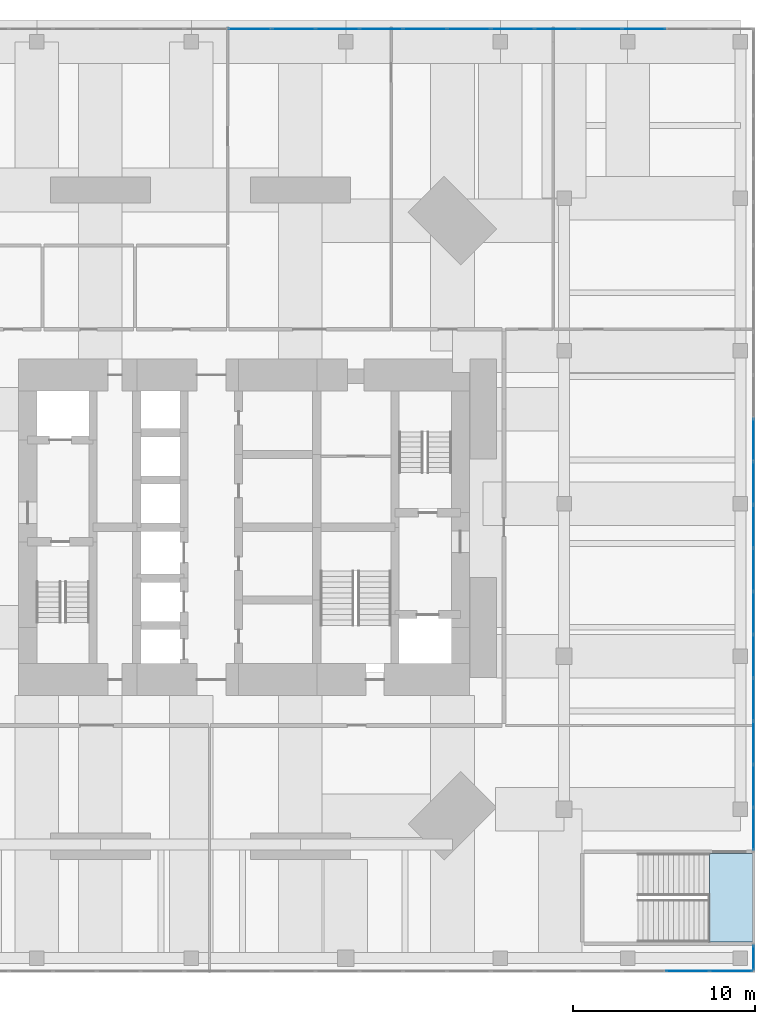
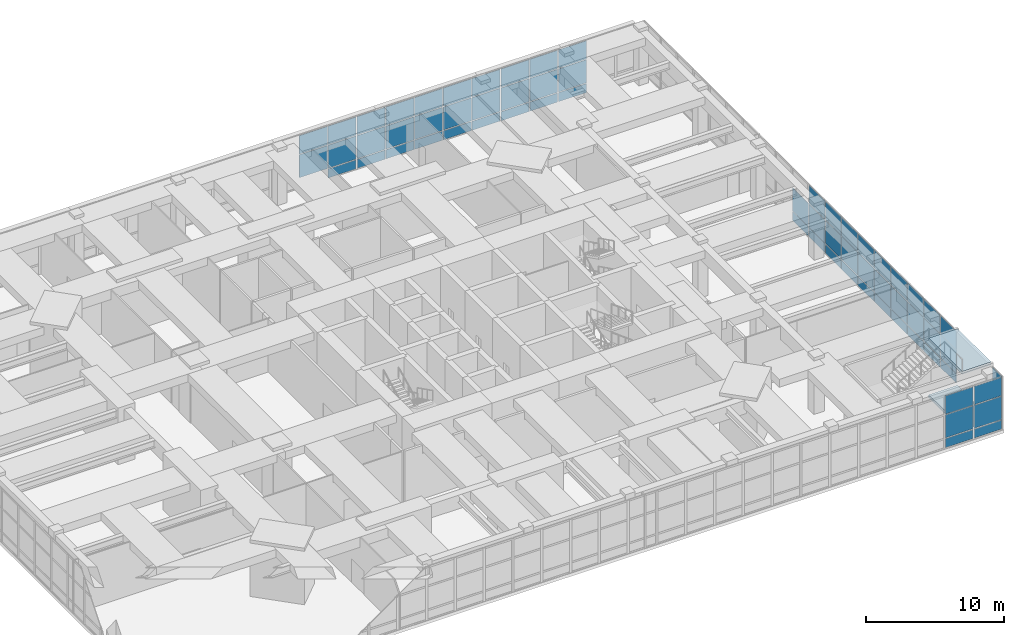
# One storey, part 17 of 24: 67 plates, 2 slabs, 5 elements without a shape of their own.
"""IFC4 building model written with IfcOpenShell, lengths in metres."""

from ifc_helpers import new_model, si_unit, direction, frame, origin, origin_2d, place, context, subcontext, project, spatial, polyline, rectangle, outline, extrude, material, layer, layer_set, type_object, element, aggregate, save


model = new_model("IFC4")

# Units and contexts
model_context = context("Model", 3, precision=1e-05, world=origin(), true_north=direction((0.0, 1.0)))
body_context = subcontext(model_context, "Body", "Model", "MODEL_VIEW")
ifc_project = project(units=[si_unit("LENGTHUNIT", "METRE"), si_unit("AREAUNIT", "SQUARE_METRE"), si_unit("VOLUMEUNIT", "CUBIC_METRE"), si_unit("PLANEANGLEUNIT", "RADIAN"), si_unit("MASSUNIT", "GRAM", prefix="KILO")], contexts=[model_context])

# Site, building, storey
site_placement = place(None, origin())
site = spatial("IfcSite", under=ifc_project, at=site_placement, CompositionType="ELEMENT")
building_placement = place(site_placement, origin())
building = spatial("IfcBuilding", under=site, at=building_placement, Name="Jalousie Tower", CompositionType="ELEMENT")
storey_placement = place(building_placement, frame((0.0, 0.0, 11.0)))
storey = spatial("IfcBuildingStorey", under=building, at=storey_placement, Name="L02", CompositionType="ELEMENT", Elevation=11.0)

# Curtain wall, plates
ifc_material_1 = material(Name="Aluminium curtain wall", Category="aluminium")
curtain_wall_type = type_object("IfcCurtainWallType", Name="PODIUM WINDOW WALL", PredefinedType="USERDEFINED", material=ifc_material_1)
curtain_wall_1_placement = place(storey_placement, origin())
curtain_wall_1 = element("IfcCurtainWall", 1, at=curtain_wall_1_placement, inside=storey, type_object=curtain_wall_type, Name="Podium Window Wall L02 1", ObjectType="PODIUM WINDOW WALL", PredefinedType="USERDEFINED")
ifc_material_2 = material(Name="Laminated impact-rated glass", Category="glass")
ifc_layer_1 = layer(ifc_material_2, 0.030029296875)
ifc_layer_set_1 = layer_set([ifc_layer_1], Name="Laminated impact-rated glass")
plate_type = type_object("IfcPlateType", Name="PODIUM WINDOW WALL PANEL", PredefinedType="CURTAIN_PANEL", material=ifc_layer_set_1)
plate_1_placement = place(storey_placement, frame((56.30078125, -5.91259765625, 0.070068359375), z_axis=(0.0, 0.0, 1.0), x_axis=(1.0, 0.0, 0.0)))
plate_1 = element("IfcPlate", 2, at=plate_1_placement, type_object=plate_type, Name="CW-P panel 28.1", PredefinedType="CURTAIN_PANEL", context=body_context, shape_type="SweptSolid", body=[
    extrude(rectangle(XDim=2.337646484375, YDim=0.030029296875, at=origin_2d()), origin(), (0.0, 0.0, 1.0), 0.794921875),
])
plate_2_placement = place(storey_placement, frame((56.30078125, -5.91259765625, 0.93505859375), z_axis=(0.0, 0.0, 1.0), x_axis=(1.0, 0.0, 0.0)))
plate_2 = element("IfcPlate", 3, at=plate_2_placement, type_object=plate_type, Name="CW-P panel 28.2", PredefinedType="CURTAIN_PANEL", context=body_context, shape_type="SweptSolid", body=[
    extrude(rectangle(XDim=2.337646484375, YDim=0.030029296875, at=origin_2d()), origin(), (0.0, 0.0, 1.0), 2.030029296875),
])
plate_3_placement = place(storey_placement, frame((56.30078125, -5.91259765625, 3.03515625), z_axis=(0.0, 0.0, 1.0), x_axis=(1.0, 0.0, 0.0)))
plate_3 = element("IfcPlate", 4, at=plate_3_placement, type_object=plate_type, Name="CW-P panel 28.3", PredefinedType="CURTAIN_PANEL", context=body_context, shape_type="SweptSolid", body=[
    extrude(rectangle(XDim=2.337646484375, YDim=0.030029296875, at=origin_2d()), origin(), (0.0, 0.0, 1.0), 1.614990234375),
])
plate_4_placement = place(storey_placement, frame((58.691162109375, -5.91259765625, 0.070068359375), z_axis=(0.0, 0.0, 1.0), x_axis=(1.0, 0.0, 0.0)))
plate_4 = element("IfcPlate", 5, at=plate_4_placement, type_object=plate_type, Name="CW-P panel 29.1", PredefinedType="CURTAIN_PANEL", context=body_context, shape_type="SweptSolid", body=[
    extrude(rectangle(XDim=2.302734375, YDim=0.030029296875, at=origin_2d()), origin(), (0.0, 0.0, 1.0), 0.794921875),
])
plate_5_placement = place(storey_placement, frame((58.691162109375, -5.91259765625, 0.93505859375), z_axis=(0.0, 0.0, 1.0), x_axis=(1.0, 0.0, 0.0)))
plate_5 = element("IfcPlate", 6, at=plate_5_placement, type_object=plate_type, Name="CW-P panel 29.2", PredefinedType="CURTAIN_PANEL", context=body_context, shape_type="SweptSolid", body=[
    extrude(rectangle(XDim=2.302734375, YDim=0.030029296875, at=origin_2d()), origin(), (0.0, 0.0, 1.0), 2.030029296875),
])
plate_6_placement = place(storey_placement, frame((58.691162109375, -5.91259765625, 3.03515625), z_axis=(0.0, 0.0, 1.0), x_axis=(1.0, 0.0, 0.0)))
plate_6 = element("IfcPlate", 7, at=plate_6_placement, type_object=plate_type, Name="CW-P panel 29.3", PredefinedType="CURTAIN_PANEL", context=body_context, shape_type="SweptSolid", body=[
    extrude(rectangle(XDim=2.302734375, YDim=0.030029296875, at=origin_2d()), origin(), (0.0, 0.0, 1.0), 1.614990234375),
])
aggregate(curtain_wall_1, [plate_1, plate_2, plate_3, plate_4, plate_5, plate_6])

curtain_wall_2_placement = place(storey_placement, origin())
curtain_wall_2 = element("IfcCurtainWall", 8, at=curtain_wall_2_placement, inside=storey, type_object=curtain_wall_type, Name="Podium Window Wall L02 11", ObjectType="PODIUM WINDOW WALL", PredefinedType="USERDEFINED")
plate_7_placement = place(storey_placement, frame((59.91259765625, -5.18115234375, 0.070068359375), z_axis=(0.0, 0.0, 1.0), x_axis=(0.0, 1.0, 0.0)))
plate_7 = element("IfcPlate", 9, at=plate_7_placement, type_object=plate_type, Name="CW-P panel 1.1", PredefinedType="CURTAIN_PANEL", context=body_context, shape_type="SweptSolid", body=[
    extrude(rectangle(XDim=1.322509765625, YDim=0.030029296875, at=origin_2d()), origin(), (0.0, 0.0, 1.0), 0.794921875),
])
plate_8_placement = place(storey_placement, frame((59.91259765625, -5.18115234375, 0.93505859375), z_axis=(0.0, 0.0, 1.0), x_axis=(0.0, 1.0, 0.0)))
plate_8 = element("IfcPlate", 10, at=plate_8_placement, type_object=plate_type, Name="CW-P panel 1.2", PredefinedType="CURTAIN_PANEL", context=body_context, shape_type="SweptSolid", body=[
    extrude(rectangle(XDim=1.322509765625, YDim=0.030029296875, at=origin_2d()), origin(), (0.0, 0.0, 1.0), 2.030029296875),
])
plate_9_placement = place(storey_placement, frame((59.91259765625, -5.18115234375, 3.03515625), z_axis=(0.0, 0.0, 1.0), x_axis=(0.0, 1.0, 0.0)))
plate_9 = element("IfcPlate", 11, at=plate_9_placement, type_object=plate_type, Name="CW-P panel 1.3", PredefinedType="CURTAIN_PANEL", context=body_context, shape_type="SweptSolid", body=[
    extrude(rectangle(XDim=1.322509765625, YDim=0.030029296875, at=origin_2d()), origin(), (0.0, 0.0, 1.0), 1.614990234375),
])
aggregate(curtain_wall_2, [plate_7, plate_8, plate_9])

curtain_wall_3_placement = place(storey_placement, origin())
curtain_wall_3 = element("IfcCurtainWall", 12, at=curtain_wall_3_placement, inside=storey, type_object=curtain_wall_type, Name="Podium Window Wall L02 13", ObjectType="PODIUM WINDOW WALL", PredefinedType="USERDEFINED")
plate_10_placement = place(storey_placement, frame((59.91259765625, 1.9072265625, 0.070068359375), z_axis=(0.0, 0.0, 1.0), x_axis=(0.0, 1.0, 0.0)))
plate_10 = element("IfcPlate", 13, at=plate_10_placement, type_object=plate_type, Name="CW-P panel 1.1", PredefinedType="CURTAIN_PANEL", context=body_context, shape_type="SweptSolid", body=[
    extrude(rectangle(XDim=2.274658203125, YDim=0.030029296875, at=origin_2d()), origin(), (0.0, 0.0, 1.0), 0.794921875),
])
plate_11_placement = place(storey_placement, frame((59.91259765625, 1.9072265625, 0.93505859375), z_axis=(0.0, 0.0, 1.0), x_axis=(0.0, 1.0, 0.0)))
plate_11 = element("IfcPlate", 14, at=plate_11_placement, type_object=plate_type, Name="CW-P panel 1.2", PredefinedType="CURTAIN_PANEL", context=body_context, shape_type="SweptSolid", body=[
    extrude(rectangle(XDim=2.274658203125, YDim=0.030029296875, at=origin_2d()), origin(), (0.0, 0.0, 1.0), 2.030029296875),
])
plate_12_placement = place(storey_placement, frame((59.91259765625, 1.9072265625, 3.03515625), z_axis=(0.0, 0.0, 1.0), x_axis=(0.0, 1.0, 0.0)))
plate_12 = element("IfcPlate", 15, at=plate_12_placement, type_object=plate_type, Name="CW-P panel 1.3", PredefinedType="CURTAIN_PANEL", context=body_context, shape_type="SweptSolid", body=[
    extrude(rectangle(XDim=2.274658203125, YDim=0.030029296875, at=origin_2d()), origin(), (0.0, 0.0, 1.0), 1.614990234375),
])
plate_13_placement = place(storey_placement, frame((59.91259765625, 4.269287109375, 0.070068359375), z_axis=(0.0, 0.0, 1.0), x_axis=(0.0, 1.0, 0.0)))
plate_13 = element("IfcPlate", 16, at=plate_13_placement, type_object=plate_type, Name="CW-P panel 2.1", PredefinedType="CURTAIN_PANEL", context=body_context, shape_type="SweptSolid", body=[
    extrude(rectangle(XDim=2.3095703125, YDim=0.030029296875, at=origin_2d()), origin(), (0.0, 0.0, 1.0), 0.794921875),
])
plate_14_placement = place(storey_placement, frame((59.91259765625, 4.269287109375, 0.93505859375), z_axis=(0.0, 0.0, 1.0), x_axis=(0.0, 1.0, 0.0)))
plate_14 = element("IfcPlate", 17, at=plate_14_placement, type_object=plate_type, Name="CW-P panel 2.2", PredefinedType="CURTAIN_PANEL", context=body_context, shape_type="SweptSolid", body=[
    extrude(rectangle(XDim=2.3095703125, YDim=0.030029296875, at=origin_2d()), origin(), (0.0, 0.0, 1.0), 2.030029296875),
])
plate_15_placement = place(storey_placement, frame((59.91259765625, 4.269287109375, 3.03515625), z_axis=(0.0, 0.0, 1.0), x_axis=(0.0, 1.0, 0.0)))
plate_15 = element("IfcPlate", 18, at=plate_15_placement, type_object=plate_type, Name="CW-P panel 2.3", PredefinedType="CURTAIN_PANEL", context=body_context, shape_type="SweptSolid", body=[
    extrude(rectangle(XDim=2.3095703125, YDim=0.030029296875, at=origin_2d()), origin(), (0.0, 0.0, 1.0), 1.614990234375),
])
plate_16_placement = place(storey_placement, frame((59.91259765625, 6.64892578125, 0.070068359375), z_axis=(0.0, 0.0, 1.0), x_axis=(0.0, 1.0, 0.0)))
plate_16 = element("IfcPlate", 19, at=plate_16_placement, type_object=plate_type, Name="CW-P panel 3.1", PredefinedType="CURTAIN_PANEL", context=body_context, shape_type="SweptSolid", body=[
    extrude(rectangle(XDim=2.3095703125, YDim=0.030029296875, at=origin_2d()), origin(), (0.0, 0.0, 1.0), 0.794921875),
])
plate_17_placement = place(storey_placement, frame((59.91259765625, 6.64892578125, 0.93505859375), z_axis=(0.0, 0.0, 1.0), x_axis=(0.0, 1.0, 0.0)))
plate_17 = element("IfcPlate", 20, at=plate_17_placement, type_object=plate_type, Name="CW-P panel 3.2", PredefinedType="CURTAIN_PANEL", context=body_context, shape_type="SweptSolid", body=[
    extrude(rectangle(XDim=2.3095703125, YDim=0.030029296875, at=origin_2d()), origin(), (0.0, 0.0, 1.0), 2.030029296875),
])
plate_18_placement = place(storey_placement, frame((59.91259765625, 6.64892578125, 3.03515625), z_axis=(0.0, 0.0, 1.0), x_axis=(0.0, 1.0, 0.0)))
plate_18 = element("IfcPlate", 21, at=plate_18_placement, type_object=plate_type, Name="CW-P panel 3.3", PredefinedType="CURTAIN_PANEL", context=body_context, shape_type="SweptSolid", body=[
    extrude(rectangle(XDim=2.3095703125, YDim=0.030029296875, at=origin_2d()), origin(), (0.0, 0.0, 1.0), 1.614990234375),
])
plate_19_placement = place(storey_placement, frame((59.91259765625, 9.028564453125, 0.070068359375), z_axis=(0.0, 0.0, 1.0), x_axis=(0.0, 1.0, 0.0)))
plate_19 = element("IfcPlate", 22, at=plate_19_placement, type_object=plate_type, Name="CW-P panel 4.1", PredefinedType="CURTAIN_PANEL", context=body_context, shape_type="SweptSolid", body=[
    extrude(rectangle(XDim=2.3095703125, YDim=0.030029296875, at=origin_2d()), origin(), (0.0, 0.0, 1.0), 0.794921875),
])
plate_20_placement = place(storey_placement, frame((59.91259765625, 9.028564453125, 0.93505859375), z_axis=(0.0, 0.0, 1.0), x_axis=(0.0, 1.0, 0.0)))
plate_20 = element("IfcPlate", 23, at=plate_20_placement, type_object=plate_type, Name="CW-P panel 4.2", PredefinedType="CURTAIN_PANEL", context=body_context, shape_type="SweptSolid", body=[
    extrude(rectangle(XDim=2.3095703125, YDim=0.030029296875, at=origin_2d()), origin(), (0.0, 0.0, 1.0), 2.030029296875),
])
plate_21_placement = place(storey_placement, frame((59.91259765625, 9.028564453125, 3.03515625), z_axis=(0.0, 0.0, 1.0), x_axis=(0.0, 1.0, 0.0)))
plate_21 = element("IfcPlate", 24, at=plate_21_placement, type_object=plate_type, Name="CW-P panel 4.3", PredefinedType="CURTAIN_PANEL", context=body_context, shape_type="SweptSolid", body=[
    extrude(rectangle(XDim=2.3095703125, YDim=0.030029296875, at=origin_2d()), origin(), (0.0, 0.0, 1.0), 1.614990234375),
])
plate_22_placement = place(storey_placement, frame((59.91259765625, 11.408203125, 0.070068359375), z_axis=(0.0, 0.0, 1.0), x_axis=(0.0, 1.0, 0.0)))
plate_22 = element("IfcPlate", 25, at=plate_22_placement, type_object=plate_type, Name="CW-P panel 5.1", PredefinedType="CURTAIN_PANEL", context=body_context, shape_type="SweptSolid", body=[
    extrude(rectangle(XDim=2.3095703125, YDim=0.030029296875, at=origin_2d()), origin(), (0.0, 0.0, 1.0), 0.794921875),
])
plate_23_placement = place(storey_placement, frame((59.91259765625, 11.408203125, 0.93505859375), z_axis=(0.0, 0.0, 1.0), x_axis=(0.0, 1.0, 0.0)))
plate_23 = element("IfcPlate", 26, at=plate_23_placement, type_object=plate_type, Name="CW-P panel 5.2", PredefinedType="CURTAIN_PANEL", context=body_context, shape_type="SweptSolid", body=[
    extrude(rectangle(XDim=2.3095703125, YDim=0.030029296875, at=origin_2d()), origin(), (0.0, 0.0, 1.0), 2.030029296875),
])
plate_24_placement = place(storey_placement, frame((59.91259765625, 11.408203125, 3.03515625), z_axis=(0.0, 0.0, 1.0), x_axis=(0.0, 1.0, 0.0)))
plate_24 = element("IfcPlate", 27, at=plate_24_placement, type_object=plate_type, Name="CW-P panel 5.3", PredefinedType="CURTAIN_PANEL", context=body_context, shape_type="SweptSolid", body=[
    extrude(rectangle(XDim=2.3095703125, YDim=0.030029296875, at=origin_2d()), origin(), (0.0, 0.0, 1.0), 1.614990234375),
])
plate_25_placement = place(storey_placement, frame((59.91259765625, 13.787841796875, 0.070068359375), z_axis=(0.0, 0.0, 1.0), x_axis=(0.0, 1.0, 0.0)))
plate_25 = element("IfcPlate", 28, at=plate_25_placement, type_object=plate_type, Name="CW-P panel 6.1", PredefinedType="CURTAIN_PANEL", context=body_context, shape_type="SweptSolid", body=[
    extrude(rectangle(XDim=2.3095703125, YDim=0.030029296875, at=origin_2d()), origin(), (0.0, 0.0, 1.0), 0.794921875),
])
plate_26_placement = place(storey_placement, frame((59.91259765625, 13.787841796875, 0.93505859375), z_axis=(0.0, 0.0, 1.0), x_axis=(0.0, 1.0, 0.0)))
plate_26 = element("IfcPlate", 29, at=plate_26_placement, type_object=plate_type, Name="CW-P panel 6.2", PredefinedType="CURTAIN_PANEL", context=body_context, shape_type="SweptSolid", body=[
    extrude(rectangle(XDim=2.3095703125, YDim=0.030029296875, at=origin_2d()), origin(), (0.0, 0.0, 1.0), 2.030029296875),
])
plate_27_placement = place(storey_placement, frame((59.91259765625, 13.787841796875, 3.03515625), z_axis=(0.0, 0.0, 1.0), x_axis=(0.0, 1.0, 0.0)))
plate_27 = element("IfcPlate", 30, at=plate_27_placement, type_object=plate_type, Name="CW-P panel 6.3", PredefinedType="CURTAIN_PANEL", context=body_context, shape_type="SweptSolid", body=[
    extrude(rectangle(XDim=2.3095703125, YDim=0.030029296875, at=origin_2d()), origin(), (0.0, 0.0, 1.0), 1.614990234375),
])
plate_28_placement = place(storey_placement, frame((59.91259765625, 16.16748046875, 0.070068359375), z_axis=(0.0, 0.0, 1.0), x_axis=(0.0, 1.0, 0.0)))
plate_28 = element("IfcPlate", 31, at=plate_28_placement, type_object=plate_type, Name="CW-P panel 7.1", PredefinedType="CURTAIN_PANEL", context=body_context, shape_type="SweptSolid", body=[
    extrude(rectangle(XDim=2.3095703125, YDim=0.030029296875, at=origin_2d()), origin(), (0.0, 0.0, 1.0), 0.794921875),
])
plate_29_placement = place(storey_placement, frame((59.91259765625, 16.16748046875, 0.93505859375), z_axis=(0.0, 0.0, 1.0), x_axis=(0.0, 1.0, 0.0)))
plate_29 = element("IfcPlate", 32, at=plate_29_placement, type_object=plate_type, Name="CW-P panel 7.2", PredefinedType="CURTAIN_PANEL", context=body_context, shape_type="SweptSolid", body=[
    extrude(rectangle(XDim=2.3095703125, YDim=0.030029296875, at=origin_2d()), origin(), (0.0, 0.0, 1.0), 2.030029296875),
])
plate_30_placement = place(storey_placement, frame((59.91259765625, 16.16748046875, 3.03515625), z_axis=(0.0, 0.0, 1.0), x_axis=(0.0, 1.0, 0.0)))
plate_30 = element("IfcPlate", 33, at=plate_30_placement, type_object=plate_type, Name="CW-P panel 7.3", PredefinedType="CURTAIN_PANEL", context=body_context, shape_type="SweptSolid", body=[
    extrude(rectangle(XDim=2.3095703125, YDim=0.030029296875, at=origin_2d()), origin(), (0.0, 0.0, 1.0), 1.614990234375),
])
plate_31_placement = place(storey_placement, frame((59.91259765625, 18.547119140625, 0.070068359375), z_axis=(0.0, 0.0, 1.0), x_axis=(0.0, 1.0, 0.0)))
plate_31 = element("IfcPlate", 34, at=plate_31_placement, type_object=plate_type, Name="CW-P panel 8.1", PredefinedType="CURTAIN_PANEL", context=body_context, shape_type="SweptSolid", body=[
    extrude(rectangle(XDim=2.3095703125, YDim=0.030029296875, at=origin_2d()), origin(), (0.0, 0.0, 1.0), 0.794921875),
])
plate_32_placement = place(storey_placement, frame((59.91259765625, 18.547119140625, 0.93505859375), z_axis=(0.0, 0.0, 1.0), x_axis=(0.0, 1.0, 0.0)))
plate_32 = element("IfcPlate", 35, at=plate_32_placement, type_object=plate_type, Name="CW-P panel 8.2", PredefinedType="CURTAIN_PANEL", context=body_context, shape_type="SweptSolid", body=[
    extrude(rectangle(XDim=2.3095703125, YDim=0.030029296875, at=origin_2d()), origin(), (0.0, 0.0, 1.0), 2.030029296875),
])
plate_33_placement = place(storey_placement, frame((59.91259765625, 18.547119140625, 3.03515625), z_axis=(0.0, 0.0, 1.0), x_axis=(0.0, 1.0, 0.0)))
plate_33 = element("IfcPlate", 36, at=plate_33_placement, type_object=plate_type, Name="CW-P panel 8.3", PredefinedType="CURTAIN_PANEL", context=body_context, shape_type="SweptSolid", body=[
    extrude(rectangle(XDim=2.3095703125, YDim=0.030029296875, at=origin_2d()), origin(), (0.0, 0.0, 1.0), 1.614990234375),
])
plate_34_placement = place(storey_placement, frame((59.91259765625, 20.9267578125, 0.070068359375), z_axis=(0.0, 0.0, 1.0), x_axis=(0.0, 1.0, 0.0)))
plate_34 = element("IfcPlate", 37, at=plate_34_placement, type_object=plate_type, Name="CW-P panel 9.1", PredefinedType="CURTAIN_PANEL", context=body_context, shape_type="SweptSolid", body=[
    extrude(rectangle(XDim=2.3095703125, YDim=0.030029296875, at=origin_2d()), origin(), (0.0, 0.0, 1.0), 0.794921875),
])
plate_35_placement = place(storey_placement, frame((59.91259765625, 20.9267578125, 0.93505859375), z_axis=(0.0, 0.0, 1.0), x_axis=(0.0, 1.0, 0.0)))
plate_35 = element("IfcPlate", 38, at=plate_35_placement, type_object=plate_type, Name="CW-P panel 9.2", PredefinedType="CURTAIN_PANEL", context=body_context, shape_type="SweptSolid", body=[
    extrude(rectangle(XDim=2.3095703125, YDim=0.030029296875, at=origin_2d()), origin(), (0.0, 0.0, 1.0), 2.030029296875),
])
plate_36_placement = place(storey_placement, frame((59.91259765625, 20.9267578125, 3.03515625), z_axis=(0.0, 0.0, 1.0), x_axis=(0.0, 1.0, 0.0)))
plate_36 = element("IfcPlate", 39, at=plate_36_placement, type_object=plate_type, Name="CW-P panel 9.3", PredefinedType="CURTAIN_PANEL", context=body_context, shape_type="SweptSolid", body=[
    extrude(rectangle(XDim=2.3095703125, YDim=0.030029296875, at=origin_2d()), origin(), (0.0, 0.0, 1.0), 1.614990234375),
])
plate_37_placement = place(storey_placement, frame((59.91259765625, 23.30615234375, 0.070068359375), z_axis=(0.0, 0.0, 1.0), x_axis=(0.0, 1.0, 0.0)))
plate_37 = element("IfcPlate", 40, at=plate_37_placement, type_object=plate_type, Name="CW-P panel 10.1", PredefinedType="CURTAIN_PANEL", context=body_context, shape_type="SweptSolid", body=[
    extrude(rectangle(XDim=2.3095703125, YDim=0.030029296875, at=origin_2d()), origin(), (0.0, 0.0, 1.0), 0.794921875),
])
plate_38_placement = place(storey_placement, frame((59.91259765625, 23.30615234375, 0.93505859375), z_axis=(0.0, 0.0, 1.0), x_axis=(0.0, 1.0, 0.0)))
plate_38 = element("IfcPlate", 41, at=plate_38_placement, type_object=plate_type, Name="CW-P panel 10.2", PredefinedType="CURTAIN_PANEL", context=body_context, shape_type="SweptSolid", body=[
    extrude(rectangle(XDim=2.3095703125, YDim=0.030029296875, at=origin_2d()), origin(), (0.0, 0.0, 1.0), 2.030029296875),
])
aggregate(curtain_wall_3, [plate_10, plate_11, plate_12, plate_13, plate_14, plate_15, plate_16, plate_17, plate_18, plate_19, plate_20, plate_21, plate_22, plate_23, plate_24, plate_25, plate_26, plate_27, plate_28, plate_29, plate_30, plate_31, plate_32, plate_33, plate_34, plate_35, plate_36, plate_37, plate_38])

curtain_wall_4_placement = place(storey_placement, origin())
curtain_wall_4 = element("IfcCurtainWall", 42, at=curtain_wall_4_placement, inside=storey, type_object=curtain_wall_type, Name="Podium Window Wall L02 21", ObjectType="PODIUM WINDOW WALL", PredefinedType="USERDEFINED")
plate_39_placement = place(storey_placement, frame((53.89306640625, 45.91259765625, 0.070068359375), z_axis=(0.0, 0.0, 1.0), x_axis=(-1.0, 0.0, 0.0)))
plate_39 = element("IfcPlate", 43, at=plate_39_placement, type_object=plate_type, Name="CW-P panel 3.1", PredefinedType="CURTAIN_PANEL", context=body_context, shape_type="SweptSolid", body=[
    extrude(rectangle(XDim=2.337646484375, YDim=0.030029296875, at=origin_2d()), origin(), (0.0, 0.0, 1.0), 0.794921875),
])
plate_40_placement = place(storey_placement, frame((53.89306640625, 45.91259765625, 0.93505859375), z_axis=(0.0, 0.0, 1.0), x_axis=(-1.0, 0.0, 0.0)))
plate_40 = element("IfcPlate", 44, at=plate_40_placement, type_object=plate_type, Name="CW-P panel 3.2", PredefinedType="CURTAIN_PANEL", context=body_context, shape_type="SweptSolid", body=[
    extrude(rectangle(XDim=2.337646484375, YDim=0.030029296875, at=origin_2d()), origin(), (0.0, 0.0, 1.0), 2.030029296875),
])
plate_41_placement = place(storey_placement, frame((53.89306640625, 45.91259765625, 3.03515625), z_axis=(0.0, 0.0, 1.0), x_axis=(-1.0, 0.0, 0.0)))
plate_41 = element("IfcPlate", 45, at=plate_41_placement, type_object=plate_type, Name="CW-P panel 3.3", PredefinedType="CURTAIN_PANEL", context=body_context, shape_type="SweptSolid", body=[
    extrude(rectangle(XDim=2.337646484375, YDim=0.030029296875, at=origin_2d()), origin(), (0.0, 0.0, 1.0), 1.614990234375),
])
plate_42_placement = place(storey_placement, frame((51.4853515625, 45.91259765625, 0.070068359375), z_axis=(0.0, 0.0, 1.0), x_axis=(-1.0, 0.0, 0.0)))
plate_42 = element("IfcPlate", 46, at=plate_42_placement, type_object=plate_type, Name="CW-P panel 4.1", PredefinedType="CURTAIN_PANEL", context=body_context, shape_type="SweptSolid", body=[
    extrude(rectangle(XDim=2.337646484375, YDim=0.030029296875, at=origin_2d()), origin(), (0.0, 0.0, 1.0), 0.794921875),
])
plate_43_placement = place(storey_placement, frame((51.4853515625, 45.91259765625, 0.93505859375), z_axis=(0.0, 0.0, 1.0), x_axis=(-1.0, 0.0, 0.0)))
plate_43 = element("IfcPlate", 47, at=plate_43_placement, type_object=plate_type, Name="CW-P panel 4.2", PredefinedType="CURTAIN_PANEL", context=body_context, shape_type="SweptSolid", body=[
    extrude(rectangle(XDim=2.337646484375, YDim=0.030029296875, at=origin_2d()), origin(), (0.0, 0.0, 1.0), 2.030029296875),
])
plate_44_placement = place(storey_placement, frame((51.4853515625, 45.91259765625, 3.03515625), z_axis=(0.0, 0.0, 1.0), x_axis=(-1.0, 0.0, 0.0)))
plate_44 = element("IfcPlate", 48, at=plate_44_placement, type_object=plate_type, Name="CW-P panel 4.3", PredefinedType="CURTAIN_PANEL", context=body_context, shape_type="SweptSolid", body=[
    extrude(rectangle(XDim=2.337646484375, YDim=0.030029296875, at=origin_2d()), origin(), (0.0, 0.0, 1.0), 1.614990234375),
])
plate_45_placement = place(storey_placement, frame((49.07763671875, 45.91259765625, 0.070068359375), z_axis=(0.0, 0.0, 1.0), x_axis=(-1.0, 0.0, 0.0)))
plate_45 = element("IfcPlate", 49, at=plate_45_placement, type_object=plate_type, Name="CW-P panel 5.1", PredefinedType="CURTAIN_PANEL", context=body_context, shape_type="SweptSolid", body=[
    extrude(rectangle(XDim=2.337646484375, YDim=0.030029296875, at=origin_2d()), origin(), (0.0, 0.0, 1.0), 0.794921875),
])
plate_46_placement = place(storey_placement, frame((49.07763671875, 45.91259765625, 0.93505859375), z_axis=(0.0, 0.0, 1.0), x_axis=(-1.0, 0.0, 0.0)))
plate_46 = element("IfcPlate", 50, at=plate_46_placement, type_object=plate_type, Name="CW-P panel 5.2", PredefinedType="CURTAIN_PANEL", context=body_context, shape_type="SweptSolid", body=[
    extrude(rectangle(XDim=2.337646484375, YDim=0.030029296875, at=origin_2d()), origin(), (0.0, 0.0, 1.0), 2.030029296875),
])
plate_47_placement = place(storey_placement, frame((49.07763671875, 45.91259765625, 3.03515625), z_axis=(0.0, 0.0, 1.0), x_axis=(-1.0, 0.0, 0.0)))
plate_47 = element("IfcPlate", 51, at=plate_47_placement, type_object=plate_type, Name="CW-P panel 5.3", PredefinedType="CURTAIN_PANEL", context=body_context, shape_type="SweptSolid", body=[
    extrude(rectangle(XDim=2.337646484375, YDim=0.030029296875, at=origin_2d()), origin(), (0.0, 0.0, 1.0), 1.614990234375),
])
plate_48_placement = place(storey_placement, frame((46.669921875, 45.91259765625, 0.070068359375), z_axis=(0.0, 0.0, 1.0), x_axis=(-1.0, 0.0, 0.0)))
plate_48 = element("IfcPlate", 52, at=plate_48_placement, type_object=plate_type, Name="CW-P panel 6.1", PredefinedType="CURTAIN_PANEL", context=body_context, shape_type="SweptSolid", body=[
    extrude(rectangle(XDim=2.337646484375, YDim=0.030029296875, at=origin_2d()), origin(), (0.0, 0.0, 1.0), 0.794921875),
])
plate_49_placement = place(storey_placement, frame((46.669921875, 45.91259765625, 0.93505859375), z_axis=(0.0, 0.0, 1.0), x_axis=(-1.0, 0.0, 0.0)))
plate_49 = element("IfcPlate", 53, at=plate_49_placement, type_object=plate_type, Name="CW-P panel 6.2", PredefinedType="CURTAIN_PANEL", context=body_context, shape_type="SweptSolid", body=[
    extrude(rectangle(XDim=2.337646484375, YDim=0.030029296875, at=origin_2d()), origin(), (0.0, 0.0, 1.0), 2.030029296875),
])
plate_50_placement = place(storey_placement, frame((46.669921875, 45.91259765625, 3.03515625), z_axis=(0.0, 0.0, 1.0), x_axis=(-1.0, 0.0, 0.0)))
plate_50 = element("IfcPlate", 54, at=plate_50_placement, type_object=plate_type, Name="CW-P panel 6.3", PredefinedType="CURTAIN_PANEL", context=body_context, shape_type="SweptSolid", body=[
    extrude(rectangle(XDim=2.337646484375, YDim=0.030029296875, at=origin_2d()), origin(), (0.0, 0.0, 1.0), 1.614990234375),
])
plate_51_placement = place(storey_placement, frame((44.261962890625, 45.91259765625, 0.070068359375), z_axis=(0.0, 0.0, 1.0), x_axis=(-1.0, 0.0, 0.0)))
plate_51 = element("IfcPlate", 55, at=plate_51_placement, type_object=plate_type, Name="CW-P panel 7.1", PredefinedType="CURTAIN_PANEL", context=body_context, shape_type="SweptSolid", body=[
    extrude(rectangle(XDim=2.337646484375, YDim=0.030029296875, at=origin_2d()), origin(), (0.0, 0.0, 1.0), 0.794921875),
])
plate_52_placement = place(storey_placement, frame((44.261962890625, 45.91259765625, 0.93505859375), z_axis=(0.0, 0.0, 1.0), x_axis=(-1.0, 0.0, 0.0)))
plate_52 = element("IfcPlate", 56, at=plate_52_placement, type_object=plate_type, Name="CW-P panel 7.2", PredefinedType="CURTAIN_PANEL", context=body_context, shape_type="SweptSolid", body=[
    extrude(rectangle(XDim=2.337646484375, YDim=0.030029296875, at=origin_2d()), origin(), (0.0, 0.0, 1.0), 2.030029296875),
])
plate_53_placement = place(storey_placement, frame((44.261962890625, 45.91259765625, 3.03515625), z_axis=(0.0, 0.0, 1.0), x_axis=(-1.0, 0.0, 0.0)))
plate_53 = element("IfcPlate", 57, at=plate_53_placement, type_object=plate_type, Name="CW-P panel 7.3", PredefinedType="CURTAIN_PANEL", context=body_context, shape_type="SweptSolid", body=[
    extrude(rectangle(XDim=2.337646484375, YDim=0.030029296875, at=origin_2d()), origin(), (0.0, 0.0, 1.0), 1.614990234375),
])
plate_54_placement = place(storey_placement, frame((41.854248046875, 45.91259765625, 0.070068359375), z_axis=(0.0, 0.0, 1.0), x_axis=(-1.0, 0.0, 0.0)))
plate_54 = element("IfcPlate", 58, at=plate_54_placement, type_object=plate_type, Name="CW-P panel 8.1", PredefinedType="CURTAIN_PANEL", context=body_context, shape_type="SweptSolid", body=[
    extrude(rectangle(XDim=2.337646484375, YDim=0.030029296875, at=origin_2d()), origin(), (0.0, 0.0, 1.0), 0.794921875),
])
plate_55_placement = place(storey_placement, frame((41.854248046875, 45.91259765625, 0.93505859375), z_axis=(0.0, 0.0, 1.0), x_axis=(-1.0, 0.0, 0.0)))
plate_55 = element("IfcPlate", 59, at=plate_55_placement, type_object=plate_type, Name="CW-P panel 8.2", PredefinedType="CURTAIN_PANEL", context=body_context, shape_type="SweptSolid", body=[
    extrude(rectangle(XDim=2.337646484375, YDim=0.030029296875, at=origin_2d()), origin(), (0.0, 0.0, 1.0), 2.030029296875),
])
plate_56_placement = place(storey_placement, frame((41.854248046875, 45.91259765625, 3.03515625), z_axis=(0.0, 0.0, 1.0), x_axis=(-1.0, 0.0, 0.0)))
plate_56 = element("IfcPlate", 60, at=plate_56_placement, type_object=plate_type, Name="CW-P panel 8.3", PredefinedType="CURTAIN_PANEL", context=body_context, shape_type="SweptSolid", body=[
    extrude(rectangle(XDim=2.337646484375, YDim=0.030029296875, at=origin_2d()), origin(), (0.0, 0.0, 1.0), 1.614990234375),
])
plate_57_placement = place(storey_placement, frame((39.446533203125, 45.91259765625, 0.070068359375), z_axis=(0.0, 0.0, 1.0), x_axis=(-1.0, 0.0, 0.0)))
plate_57 = element("IfcPlate", 61, at=plate_57_placement, type_object=plate_type, Name="CW-P panel 9.1", PredefinedType="CURTAIN_PANEL", context=body_context, shape_type="SweptSolid", body=[
    extrude(rectangle(XDim=2.337646484375, YDim=0.030029296875, at=origin_2d()), origin(), (0.0, 0.0, 1.0), 0.794921875),
])
plate_58_placement = place(storey_placement, frame((39.446533203125, 45.91259765625, 0.93505859375), z_axis=(0.0, 0.0, 1.0), x_axis=(-1.0, 0.0, 0.0)))
plate_58 = element("IfcPlate", 62, at=plate_58_placement, type_object=plate_type, Name="CW-P panel 9.2", PredefinedType="CURTAIN_PANEL", context=body_context, shape_type="SweptSolid", body=[
    extrude(rectangle(XDim=2.337646484375, YDim=0.030029296875, at=origin_2d()), origin(), (0.0, 0.0, 1.0), 2.030029296875),
])
plate_59_placement = place(storey_placement, frame((39.446533203125, 45.91259765625, 3.03515625), z_axis=(0.0, 0.0, 1.0), x_axis=(-1.0, 0.0, 0.0)))
plate_59 = element("IfcPlate", 63, at=plate_59_placement, type_object=plate_type, Name="CW-P panel 9.3", PredefinedType="CURTAIN_PANEL", context=body_context, shape_type="SweptSolid", body=[
    extrude(rectangle(XDim=2.337646484375, YDim=0.030029296875, at=origin_2d()), origin(), (0.0, 0.0, 1.0), 1.614990234375),
])
plate_60_placement = place(storey_placement, frame((37.038818359375, 45.91259765625, 0.070068359375), z_axis=(0.0, 0.0, 1.0), x_axis=(-1.0, 0.0, 0.0)))
plate_60 = element("IfcPlate", 64, at=plate_60_placement, type_object=plate_type, Name="CW-P panel 10.1", PredefinedType="CURTAIN_PANEL", context=body_context, shape_type="SweptSolid", body=[
    extrude(rectangle(XDim=2.337646484375, YDim=0.030029296875, at=origin_2d()), origin(), (0.0, 0.0, 1.0), 0.794921875),
])
plate_61_placement = place(storey_placement, frame((37.038818359375, 45.91259765625, 0.93505859375), z_axis=(0.0, 0.0, 1.0), x_axis=(-1.0, 0.0, 0.0)))
plate_61 = element("IfcPlate", 65, at=plate_61_placement, type_object=plate_type, Name="CW-P panel 10.2", PredefinedType="CURTAIN_PANEL", context=body_context, shape_type="SweptSolid", body=[
    extrude(rectangle(XDim=2.337646484375, YDim=0.030029296875, at=origin_2d()), origin(), (0.0, 0.0, 1.0), 2.030029296875),
])
plate_62_placement = place(storey_placement, frame((37.038818359375, 45.91259765625, 3.03515625), z_axis=(0.0, 0.0, 1.0), x_axis=(-1.0, 0.0, 0.0)))
plate_62 = element("IfcPlate", 66, at=plate_62_placement, type_object=plate_type, Name="CW-P panel 10.3", PredefinedType="CURTAIN_PANEL", context=body_context, shape_type="SweptSolid", body=[
    extrude(rectangle(XDim=2.337646484375, YDim=0.030029296875, at=origin_2d()), origin(), (0.0, 0.0, 1.0), 1.614990234375),
])
plate_63_placement = place(storey_placement, frame((34.631103515625, 45.91259765625, 0.070068359375), z_axis=(0.0, 0.0, 1.0), x_axis=(-1.0, 0.0, 0.0)))
plate_63 = element("IfcPlate", 67, at=plate_63_placement, type_object=plate_type, Name="CW-P panel 11.1", PredefinedType="CURTAIN_PANEL", context=body_context, shape_type="SweptSolid", body=[
    extrude(rectangle(XDim=2.337646484375, YDim=0.030029296875, at=origin_2d()), origin(), (0.0, 0.0, 1.0), 0.794921875),
])
plate_64_placement = place(storey_placement, frame((34.631103515625, 45.91259765625, 0.93505859375), z_axis=(0.0, 0.0, 1.0), x_axis=(-1.0, 0.0, 0.0)))
plate_64 = element("IfcPlate", 68, at=plate_64_placement, type_object=plate_type, Name="CW-P panel 11.2", PredefinedType="CURTAIN_PANEL", context=body_context, shape_type="SweptSolid", body=[
    extrude(rectangle(XDim=2.337646484375, YDim=0.030029296875, at=origin_2d()), origin(), (0.0, 0.0, 1.0), 2.030029296875),
])
plate_65_placement = place(storey_placement, frame((34.631103515625, 45.91259765625, 3.03515625), z_axis=(0.0, 0.0, 1.0), x_axis=(-1.0, 0.0, 0.0)))
plate_65 = element("IfcPlate", 69, at=plate_65_placement, type_object=plate_type, Name="CW-P panel 11.3", PredefinedType="CURTAIN_PANEL", context=body_context, shape_type="SweptSolid", body=[
    extrude(rectangle(XDim=2.337646484375, YDim=0.030029296875, at=origin_2d()), origin(), (0.0, 0.0, 1.0), 1.614990234375),
])
plate_66_placement = place(storey_placement, frame((32.223388671875, 45.91259765625, 0.93505859375), z_axis=(0.0, 0.0, 1.0), x_axis=(-1.0, 0.0, 0.0)))
plate_66 = element("IfcPlate", 70, at=plate_66_placement, type_object=plate_type, Name="CW-P panel 12.2", PredefinedType="CURTAIN_PANEL", context=body_context, shape_type="SweptSolid", body=[
    extrude(rectangle(XDim=2.337646484375, YDim=0.030029296875, at=origin_2d()), origin(), (0.0, 0.0, 1.0), 2.030029296875),
])
plate_67_placement = place(storey_placement, frame((32.223388671875, 45.91259765625, 3.03515625), z_axis=(0.0, 0.0, 1.0), x_axis=(-1.0, 0.0, 0.0)))
plate_67 = element("IfcPlate", 71, at=plate_67_placement, type_object=plate_type, Name="CW-P panel 12.3", PredefinedType="CURTAIN_PANEL", context=body_context, shape_type="SweptSolid", body=[
    extrude(rectangle(XDim=2.337646484375, YDim=0.030029296875, at=origin_2d()), origin(), (0.0, 0.0, 1.0), 1.614990234375),
])
aggregate(curtain_wall_4, [plate_39, plate_40, plate_41, plate_42, plate_43, plate_44, plate_45, plate_46, plate_47, plate_48, plate_49, plate_50, plate_51, plate_52, plate_53, plate_54, plate_55, plate_56, plate_57, plate_58, plate_59, plate_60, plate_61, plate_62, plate_63, plate_64, plate_65, plate_66, plate_67])

# Stair, slabs
ifc_material_3 = material(Name="Concrete f'c 40 MPa", Category="concrete")
stair_type = type_object("IfcStairType", Name="WIDE EXIT STAIR", PredefinedType="HALF_TURN_STAIR", material=ifc_material_3)
stair_placement = place(storey_placement, origin())
stair = element("IfcStair", 72, at=stair_placement, inside=storey, type_object=stair_type, Name="Exit stair PS2 L02", PredefinedType="HALF_TURN_STAIR")
ifc_material_4 = material(Name="Concrete f'c 40 MPa", Category="concrete")
ifc_layer_2 = layer(ifc_material_4, 0.25)
ifc_layer_set_2 = layer_set([ifc_layer_2], Name="Concrete f'c 40 MPa")
slab_type = type_object("IfcSlabType", Name="STAIR LANDING 250", PredefinedType="LANDING", material=ifc_layer_set_2)
slab_1_placement = place(storey_placement, frame((0.0, 0.0, -0.25)))
slab_1 = element("IfcSlab", 73, at=slab_1_placement, type_object=slab_type, Name="PS2 landing 1", PredefinedType="LANDING", context=body_context, shape_type="SweptSolid", body=[
    extrude(outline(polyline([(59.89990234375, -4.300048828125), (59.89990234375, 0.550048828125), (57.489990234375, 0.550048828125), (57.489990234375, -4.300048828125), (59.89990234375, -4.300048828125)])), origin(), (0.0, 0.0, 1.0), 0.25),
])
slab_2_placement = place(storey_placement, frame((0.0, 0.0, 4.75)))
slab_2 = element("IfcSlab", 74, at=slab_2_placement, type_object=slab_type, Name="PS2 landing 3", PredefinedType="LANDING", context=body_context, shape_type="SweptSolid", body=[
    extrude(outline(polyline([(59.89990234375, -4.300048828125), (59.89990234375, 0.550048828125), (57.489990234375, 0.550048828125), (57.489990234375, -4.300048828125), (59.89990234375, -4.300048828125)])), origin(), (0.0, 0.0, 1.0), 0.25),
])
aggregate(stair, [slab_1, slab_2])

save(model, "model.ifc")
